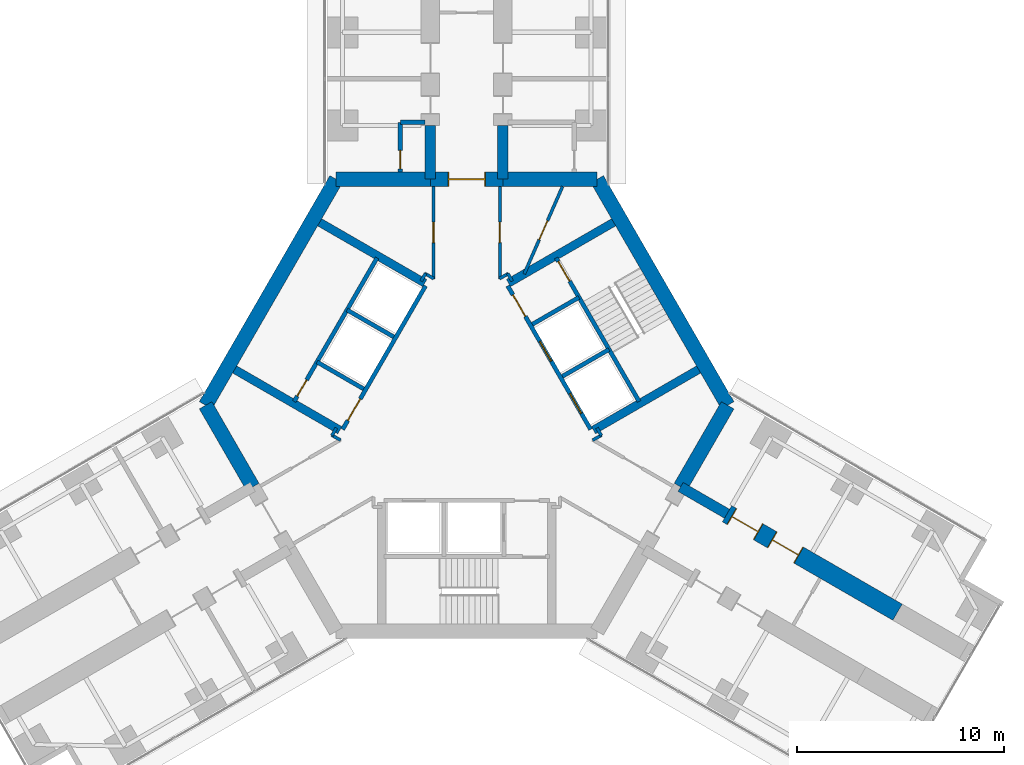
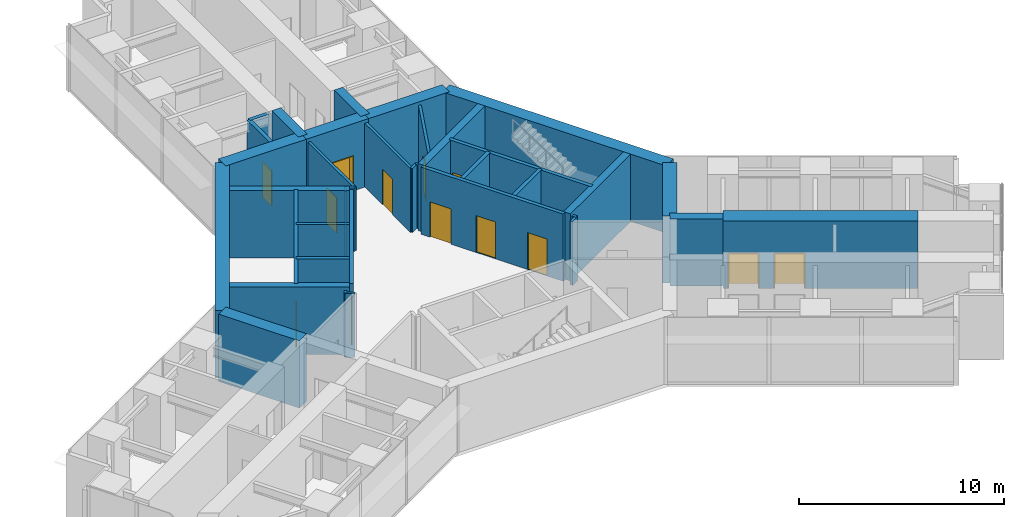
# One storey, part 20 of 23: 36 walls, 13 doors, 13 openings.
"""IFC4 building model written with IfcOpenShell, lengths in metres."""

from ifc_helpers import new_model, si_unit, direction, frame, frame_2d, origin, place, context, subcontext, project, spatial, rectangle, extrude, material, layer, layer_set, type_object, element, fill, save


model = new_model("IFC4")

# Units and contexts
model_context = context("Model", 3, precision=1e-05, world=origin(), true_north=direction((0.0, 1.0)))
body_context = subcontext(model_context, "Body", "Model", "MODEL_VIEW")
ifc_project = project(units=[si_unit("LENGTHUNIT", "METRE"), si_unit("AREAUNIT", "SQUARE_METRE"), si_unit("VOLUMEUNIT", "CUBIC_METRE"), si_unit("PLANEANGLEUNIT", "RADIAN"), si_unit("MASSUNIT", "GRAM", prefix="KILO")], contexts=[model_context])

# Site, building, storey
site_placement = place(None, origin())
site = spatial("IfcSite", under=ifc_project, at=site_placement, CompositionType="ELEMENT")
building_placement = place(site_placement, origin())
building = spatial("IfcBuilding", under=site, at=building_placement, Name="Upepo Twin Towers", CompositionType="ELEMENT")
storey_placement = place(building_placement, frame((0.0, 0.0, 32.5)))
storey = spatial("IfcBuildingStorey", under=building, at=storey_placement, Name="L07", CompositionType="ELEMENT", Elevation=32.5)

# Wall, opening, door
ifc_material_1 = material(Name="Concrete blockwork, plastered both faces", Category="masonry")
ifc_layer_1 = layer(ifc_material_1, 0.215087890625)
ifc_layer_set_1 = layer_set([ifc_layer_1], Name="Blockwork partition 215")
wall_type_1 = type_object("IfcWallType", Name="Blockwork partition 215", PredefinedType="PARTITIONING", material=ifc_layer_set_1)
wall_1_placement = place(storey_placement, frame((55.300048828125, -6.741943359375, 0.0), z_axis=(0.0, 0.0, 1.0), x_axis=(0.0, 1.0, 0.0)))
wall_1 = element("IfcWall", 1, at=wall_1_placement, inside=storey, type_object=wall_type_1, Name="T2 WC bay partition AL at 11.26", PredefinedType="PARTITIONING", context=body_context, shape_type="SweptSolid", body=[
    extrude(rectangle(XDim=2.39990234375, YDim=0.215087890625, at=frame_2d((1.199951171875, 0.0))), origin(), (0.0, 0.0, 1.0), 3.800048828125),
])
opening_1_placement = place(wall_1_placement, frame((0.14990234375, 0.0, 0.0)))
opening_1 = element("IfcOpeningElement", 2, at=opening_1_placement, cuts=wall_1, Name="Opening D14", PredefinedType="OPENING", context=body_context, shape_type="SweptSolid", body=[
    extrude(rectangle(XDim=0.89990234375, YDim=2.10009765625, at=frame_2d((0.449951171875, 1.050048828125))), frame((0.0, 0.117431640625, 0.0), z_axis=(0.0, -1.0, 0.0), x_axis=(1.0, 0.0, 0.0)), (0.0, 0.0, 1.0), 0.235107421875),
])
ifc_material_2 = material(Name="Timber doorset", Category="wood")
door_type_1 = type_object("IfcDoorType", Name="Office door 900 FD30", OperationType="SINGLE_SWING_LEFT", PredefinedType="DOOR", material=ifc_material_2)
door_1_placement = place(opening_1_placement, origin())
door_1 = element("IfcDoor", 3, at=door_1_placement, inside=storey, type_object=door_type_1, Name="T2 L07 WC bay inner room door", OperationType="SINGLE_SWING_LEFT", OverallHeight=2.10009765625, OverallWidth=0.89990234375, PredefinedType="DOOR", context=body_context, shape_type="SweptSolid", body=[
    extrude(rectangle(XDim=0.89990234375, YDim=2.10009765625, at=frame_2d((0.449951171875, 1.050048828125))), frame((0.0, 0.02490234375, 0.0), z_axis=(0.0, -1.0, 0.0), x_axis=(1.0, 0.0, 0.0)), (0.0, 0.0, 1.0), 0.050048828125),
])
fill(opening_1, door_1)

# Walls
wall_2_placement = place(storey_placement, frame((56.5, -4.342041015625, 0.0), z_axis=(0.0, 0.0, 1.0), x_axis=(-1.0, 0.0, 0.0)))
element("IfcWall", 4, at=wall_2_placement, inside=storey, type_object=wall_type_1, Name="T2 WC bay partition AL end at 13.66", PredefinedType="PARTITIONING", context=body_context, shape_type="SweptSolid", body=[
    extrude(rectangle(XDim=1.199951171875, YDim=0.215087890625, at=frame_2d((0.60009765625, 0.0))), origin(), (0.0, 0.0, 1.0), 3.800048828125),
])
ifc_material_3 = material(Name="Concrete C60/75", Category="concrete")
ifc_layer_2 = layer(ifc_material_3, 0.5)
ifc_layer_set_2 = layer_set([ifc_layer_2], Name="Concrete C60/75")
wall_type_2 = type_object("IfcWallType", Name="Buttress wall 500 RC", PredefinedType="SHEAR", material=ifc_layer_set_2)
for number, where, z_axis, x_axis, name in (
    (5, (56.75, -7.091552734375, 0.0), (0.0, 0.0, 1.0), (0.0, 1.0, 0.0), "T2 wing A buttress wall L"),
    (6, (60.25, -7.091552734375, 0.0), (0.0, 0.0, 1.0), (0.0, 1.0, 0.0), "T2 wing A buttress wall R"),
):
    element("IfcWall", number, at=place(storey_placement, frame(where, z_axis=z_axis, x_axis=x_axis)), inside=storey, type_object=wall_type_2, Name=name, PredefinedType="SHEAR", context=body_context, shape_type="SweptSolid", body=[
        extrude(rectangle(XDim=2.591552734375, YDim=0.5, at=frame_2d((1.2958984375, 0.0))), origin(), (0.0, 0.0, 1.0), 4.0),
    ])
wall_3_placement = place(storey_placement, frame((68.82177734375, -21.938720703125, 0.0), z_axis=(0.0, 0.0, 1.0), x_axis=(0.866072649678, -0.499918158782, 0.0)))
element("IfcWall", 7, at=wall_3_placement, inside=storey, type_object=wall_type_2, Name="T2 wing C buttress wall L", PredefinedType="SHEAR", context=body_context, shape_type="SweptSolid", body=[
    extrude(rectangle(XDim=2.591796875, YDim=0.5, at=frame_2d((1.2958984375, 0.0))), origin(), (0.0, 0.0, 1.0), 4.0),
])

# Wall, openings, doors
ifc_material_4 = material(Name="Concrete C60/75", Category="concrete")
ifc_layer_3 = layer(ifc_material_4, 0.89990234375)
ifc_layer_set_3 = layer_set([ifc_layer_3], Name="Concrete C60/75")
wall_type_3 = type_object("IfcWallType", Name="Buttress wall 900 RC", PredefinedType="SHEAR", material=ifc_layer_set_3)
wall_4_placement = place(storey_placement, frame((71.06640625, -23.234375, 0.0), z_axis=(0.0, 0.0, 1.0), x_axis=(0.86602681393, -0.499997557548, 0.0)))
wall_4 = element("IfcWall", 8, at=wall_4_placement, inside=storey, type_object=wall_type_3, Name="T2 wing C buttress wall L part 2", PredefinedType="SHEAR", context=body_context, shape_type="SweptSolid", body=[
    extrude(rectangle(XDim=9.5, YDim=0.89990234375, at=frame_2d((4.75, 0.0))), origin(), (0.0, 0.0, 1.0), 4.0),
])
opening_2_placement = place(wall_4_placement, frame((0.25, 0.0, 0.0)))
opening_2 = element("IfcOpeningElement", 9, at=opening_2_placement, cuts=wall_4, Name="Opening D13", PredefinedType="OPENING", context=body_context, shape_type="SweptSolid", body=[
    extrude(rectangle(XDim=1.5, YDim=2.10009765625, at=frame_2d((0.75, 1.050048828125))), frame((0.0, 0.4599609375, 0.0), z_axis=(0.0, -1.0, 0.0), x_axis=(1.0, 0.0, 0.0)), (0.0, 0.0, 1.0), 0.919921875),
])
opening_3_placement = place(wall_4_placement, frame((2.5, 0.0, 0.0)))
opening_3 = element("IfcOpeningElement", 10, at=opening_3_placement, cuts=wall_4, Name="Opening D13", PredefinedType="OPENING", context=body_context, shape_type="SweptSolid", body=[
    extrude(rectangle(XDim=1.5, YDim=2.10009765625, at=frame_2d((0.75, 1.050048828125))), frame((0.0, 0.4599609375, 0.0), z_axis=(0.0, -1.0, 0.0), x_axis=(1.0, 0.0, 0.0)), (0.0, 0.0, 1.0), 0.919921875),
])
ifc_material_5 = material(Name="Timber doorset", Category="wood")
door_type_2 = type_object("IfcDoorType", Name="Double door 1500 FD30", OperationType="DOUBLE_DOOR_SINGLE_SWING", PredefinedType="DOOR", material=ifc_material_5)
door_2_placement = place(opening_2_placement, origin())
door_2 = element("IfcDoor", 11, at=door_2_placement, inside=storey, type_object=door_type_2, Name="T2 L07 lecture room door", OperationType="DOUBLE_DOOR_SINGLE_SWING", OverallHeight=2.10009765625, OverallWidth=1.5, PredefinedType="DOOR", context=body_context, shape_type="SweptSolid", body=[
    extrude(rectangle(XDim=1.42, YDim=2.06009765625, at=frame_2d((0.75, 1.030029296875))), frame((0.0, 0.02490234375, 0.0), z_axis=(0.0, -1.0, 0.0), x_axis=(1.0, 0.0, 0.0)), (0.0, 0.0, 1.0), 0.050048828125),
    extrude(rectangle(XDim=0.04, YDim=2.10009765625, at=frame_2d((0.02001953125, 1.050048828125))), frame((0.0, 0.44970703125, 0.0), z_axis=(0.0, -1.0, 0.0), x_axis=(1.0, 0.0, 0.0)), (0.0, 0.0, 1.0), 0.8994140625),
    extrude(rectangle(XDim=0.04, YDim=2.10009765625, at=frame_2d((1.47998046875, 1.050048828125))), frame((0.0, 0.44970703125, 0.0), z_axis=(0.0, -1.0, 0.0), x_axis=(1.0, 0.0, 0.0)), (0.0, 0.0, 1.0), 0.8994140625),
    extrude(rectangle(XDim=1.42, YDim=0.04, at=frame_2d((0.75, 2.080078125))), frame((0.0, 0.44970703125, 0.0), z_axis=(0.0, -1.0, 0.0), x_axis=(1.0, 0.0, 0.0)), (0.0, 0.0, 1.0), 0.8994140625),
])
fill(opening_2, door_2)
door_3_placement = place(opening_3_placement, origin())
door_3 = element("IfcDoor", 12, at=door_3_placement, inside=storey, type_object=door_type_2, Name="T2 L07 lecture room door", OperationType="DOUBLE_DOOR_SINGLE_SWING", OverallHeight=2.10009765625, OverallWidth=1.5, PredefinedType="DOOR", context=body_context, shape_type="SweptSolid", body=[
    extrude(rectangle(XDim=1.42, YDim=2.06009765625, at=frame_2d((0.75, 1.030029296875))), frame((0.0, 0.02490234375, 0.0), z_axis=(0.0, -1.0, 0.0), x_axis=(1.0, 0.0, 0.0)), (0.0, 0.0, 1.0), 0.050048828125),
    extrude(rectangle(XDim=0.04, YDim=2.10009765625, at=frame_2d((0.02001953125, 1.050048828125))), frame((0.0, 0.44970703125, 0.0), z_axis=(0.0, -1.0, 0.0), x_axis=(1.0, 0.0, 0.0)), (0.0, 0.0, 1.0), 0.8994140625),
    extrude(rectangle(XDim=0.04, YDim=2.10009765625, at=frame_2d((1.47998046875, 1.050048828125))), frame((0.0, 0.44970703125, 0.0), z_axis=(0.0, -1.0, 0.0), x_axis=(1.0, 0.0, 0.0)), (0.0, 0.0, 1.0), 0.8994140625),
    extrude(rectangle(XDim=1.42, YDim=0.04, at=frame_2d((0.75, 2.080078125))), frame((0.0, 0.44970703125, 0.0), z_axis=(0.0, -1.0, 0.0), x_axis=(1.0, 0.0, 0.0)), (0.0, 0.0, 1.0), 0.8994140625),
])
fill(opening_3, door_3)

# Wall
ifc_material_6 = material(Name="Concrete C60/75", Category="concrete")
ifc_layer_4 = layer(ifc_material_6, 0.699951171875)
ifc_layer_set_4 = layer_set([ifc_layer_4], Name="Concrete C60/75")
wall_type_4 = type_object("IfcWallType", Name="Core wall 700 RC", PredefinedType="SHEAR", material=ifc_layer_set_4)
wall_5_placement = place(storey_placement, frame((64.7978515625, -7.091552734375, 0.0), z_axis=(0.0, 0.0, 1.0), x_axis=(-1.0, 0.0, 0.0)))
element("IfcWall", 13, at=wall_5_placement, inside=storey, type_object=wall_type_4, Name="T2 core wall 000 R", PredefinedType="SHEAR", context=body_context, shape_type="SweptSolid", body=[
    extrude(rectangle(XDim=4.5478515625, YDim=0.699951171875, at=frame_2d((2.27392578125, 0.0))), origin(), (0.0, 0.0, 1.0), 4.0),
])

# Wall, opening, door
wall_6_placement = place(storey_placement, frame((60.25, -7.091552734375, 0.0), z_axis=(0.0, 0.0, 1.0), x_axis=(-1.0, 0.0, 0.0)))
wall_6 = element("IfcWall", 14, at=wall_6_placement, inside=storey, type_object=wall_type_4, Name="T2 core wall 000", PredefinedType="SHEAR", context=body_context, shape_type="SweptSolid", body=[
    extrude(rectangle(XDim=3.5, YDim=0.699951171875, at=frame_2d((1.75, 0.0))), origin(), (0.0, 0.0, 1.0), 4.0),
])
opening_4_placement = place(wall_6_placement, frame((0.85009765625, 0.0, 0.0)))
opening_4 = element("IfcOpeningElement", 15, at=opening_4_placement, cuts=wall_6, Name="Opening D2", PredefinedType="OPENING", context=body_context, shape_type="SweptSolid", body=[
    extrude(rectangle(XDim=1.800048828125, YDim=2.10009765625, at=frame_2d((0.89990234375, 1.050048828125))), frame((0.0, 0.35986328125, 0.0), z_axis=(0.0, -1.0, 0.0), x_axis=(1.0, 0.0, 0.0)), (0.0, 0.0, 1.0), 0.719970703125),
])
ifc_material_7 = material(Name="Timber doorset", Category="wood")
door_type_3 = type_object("IfcDoorType", Name="Corridor double door 1800 FD60", OperationType="DOUBLE_DOOR_DOUBLE_SWING", PredefinedType="DOOR", material=ifc_material_7)
door_4_placement = place(opening_4_placement, origin())
door_4 = element("IfcDoor", 16, at=door_4_placement, inside=storey, type_object=door_type_3, Name="T2 L07 wing A corridor door", OperationType="DOUBLE_DOOR_DOUBLE_SWING", OverallHeight=2.10009765625, OverallWidth=1.800048828125, PredefinedType="DOOR", context=body_context, shape_type="SweptSolid", body=[
    extrude(rectangle(XDim=1.720048828125, YDim=2.06009765625, at=frame_2d((0.89990234375, 1.030029296875))), frame((0.0, 0.02490234375, 0.0), z_axis=(0.0, -1.0, 0.0), x_axis=(1.0, 0.0, 0.0)), (0.0, 0.0, 1.0), 0.050048828125),
    extrude(rectangle(XDim=0.04, YDim=2.10009765625, at=frame_2d((0.02001953125, 1.050048828125))), frame((0.0, 0.349609375, 0.0), z_axis=(0.0, -1.0, 0.0), x_axis=(1.0, 0.0, 0.0)), (0.0, 0.0, 1.0), 0.699462890625),
    extrude(rectangle(XDim=0.04, YDim=2.10009765625, at=frame_2d((1.780029296875, 1.050048828125))), frame((0.0, 0.349609375, 0.0), z_axis=(0.0, -1.0, 0.0), x_axis=(1.0, 0.0, 0.0)), (0.0, 0.0, 1.0), 0.699462890625),
    extrude(rectangle(XDim=1.720048828125, YDim=0.04, at=frame_2d((0.89990234375, 2.080078125))), frame((0.0, 0.349609375, 0.0), z_axis=(0.0, -1.0, 0.0), x_axis=(1.0, 0.0, 0.0)), (0.0, 0.0, 1.0), 0.699462890625),
])
fill(opening_4, door_4)

# Walls
wall_7_placement = place(storey_placement, frame((56.75, -7.091552734375, 0.0), z_axis=(0.0, 0.0, 1.0), x_axis=(-1.0, 0.0, 0.0)))
element("IfcWall", 17, at=wall_7_placement, inside=storey, type_object=wall_type_4, Name="T2 core wall 000 L", PredefinedType="SHEAR", context=body_context, shape_type="SweptSolid", body=[
    extrude(rectangle(XDim=4.5478515625, YDim=0.699951171875, at=frame_2d((2.27392578125, 0.0))), origin(), (0.0, 0.0, 1.0), 4.0),
])
wall_8_placement = place(storey_placement, frame((52.2021484375, -7.091552734375, 0.0), z_axis=(0.0, 0.0, 1.0), x_axis=(-0.500005998175, -0.866021940709, 0.0)))
element("IfcWall", 18, at=wall_8_placement, inside=storey, type_object=wall_type_4, Name="T2 core wall 060", PredefinedType="SHEAR", context=body_context, shape_type="SweptSolid", body=[
    extrude(rectangle(XDim=12.595947265625, YDim=0.699951171875, at=frame_2d((6.2978515625, 0.0))), origin(), (0.0, 0.0, 1.0), 4.0),
])
for number, where, z_axis, x_axis, name in (
    (19, (45.904052734375, -18.0, 0.0), (0.0, 0.0, 1.0), (0.500024481964, -0.866011268655, 0.0), "T2 core wall 120 R"),
    (20, (68.82177734375, -21.938720703125, 0.0), (0.0, 0.0, 1.0), (0.500024481964, 0.866011268655, 0.0), "T2 core wall 240 L"),
):
    element("IfcWall", number, at=place(storey_placement, frame(where, z_axis=z_axis, x_axis=x_axis)), inside=storey, type_object=wall_type_4, Name=name, PredefinedType="SHEAR", context=body_context, shape_type="SweptSolid", body=[
        extrude(rectangle(XDim=4.548095703125, YDim=0.699951171875, at=frame_2d((2.27392578125, 0.0))), origin(), (0.0, 0.0, 1.0), 4.0),
    ])
wall_9_placement = place(storey_placement, frame((71.095947265625, -18.0, 0.0), z_axis=(0.0, 0.0, 1.0), x_axis=(-0.500005998175, 0.866021940709, 0.0)))
element("IfcWall", 21, at=wall_9_placement, inside=storey, type_object=wall_type_4, Name="T2 core wall 300", PredefinedType="SHEAR", context=body_context, shape_type="SweptSolid", body=[
    extrude(rectangle(XDim=12.595947265625, YDim=0.699951171875, at=frame_2d((6.2978515625, 0.0))), origin(), (0.0, 0.0, 1.0), 4.0),
])

# Wall, opening, door
ifc_material_8 = material(Name="Concrete C40/50", Category="concrete")
ifc_layer_5 = layer(ifc_material_8, 0.199951171875)
ifc_layer_set_5 = layer_set([ifc_layer_5], Name="Concrete C40/50")
wall_type_5 = type_object("IfcWallType", Name="Shaft wall 200 RC", PredefinedType="SHEAR", material=ifc_layer_set_5)
wall_10_placement = place(storey_placement, frame((56.516357421875, -12.23583984375, 0.0), z_axis=(0.0, 0.0, 1.0), x_axis=(-0.49999894854, -0.866026010844, 0.0)))
wall_10 = element("IfcWall", 22, at=wall_10_placement, inside=storey, type_object=wall_type_5, Name="T2 core W60 front wall", PredefinedType="SHEAR", context=body_context, shape_type="SweptSolid", body=[
    extrude(rectangle(XDim=8.0, YDim=0.199951171875, at=frame_2d((4.0, 0.0))), origin(), (0.0, 0.0, 1.0), 4.0),
])
opening_5_placement = place(wall_10_placement, frame((6.300048828125, 0.0, 0.0)))
opening_5 = element("IfcOpeningElement", 23, at=opening_5_placement, cuts=wall_10, Name="Opening D4", PredefinedType="OPENING", context=body_context, shape_type="SweptSolid", body=[
    extrude(rectangle(XDim=1.199951171875, YDim=2.10009765625, at=frame_2d((0.60009765625, 1.050048828125))), frame((0.0, 0.10986328125, 0.0), z_axis=(0.0, -1.0, 0.0), x_axis=(1.0, 0.0, 0.0)), (0.0, 0.0, 1.0), 0.219970703125),
])
ifc_material_9 = material(Name="Timber doorset", Category="wood")
door_type_4 = type_object("IfcDoorType", Name="Lobby door 1200 FD60", OperationType="SINGLE_SWING_LEFT", PredefinedType="DOOR", material=ifc_material_9)
door_5_placement = place(opening_5_placement, origin())
door_5 = element("IfcDoor", 24, at=door_5_placement, inside=storey, type_object=door_type_4, Name="T2 L07 W60 lobby door", OperationType="SINGLE_SWING_RIGHT", OverallHeight=2.10009765625, OverallWidth=1.199951171875, PredefinedType="DOOR", context=body_context, shape_type="SweptSolid", body=[
    extrude(rectangle(XDim=1.199951171875, YDim=2.10009765625, at=frame_2d((0.60009765625, 1.050048828125))), frame((0.0, 0.02490234375, 0.0), z_axis=(0.0, -1.0, 0.0), x_axis=(1.0, 0.0, 0.0)), (0.0, 0.0, 1.0), 0.050048828125),
])
fill(opening_5, door_5)

# Walls
for number, where, z_axis, x_axis, name in (
    (25, (54.979736328125, -14.697265625, 0.0), (0.0, 0.0, 1.0), (-0.866062058628, 0.499936506574, 0.0), "T2 core W60 shaft divider"),
    (26, (53.52978515625, -17.208740234375, 0.0), (0.0, 0.0, 1.0), (-0.866062058628, 0.499936506574, 0.0), "T2 core W60 lobby wall"),
):
    element("IfcWall", number, at=place(storey_placement, frame(where, z_axis=z_axis, x_axis=x_axis)), inside=storey, type_object=wall_type_5, Name=name, PredefinedType="SHEAR", context=body_context, shape_type="SweptSolid", body=[
        extrude(rectangle(XDim=2.599853515625, YDim=0.199951171875, at=frame_2d((1.2998046875, 0.0))), origin(), (0.0, 0.0, 1.0), 4.0),
    ])

# Wall, opening, door
wall_11_placement = place(storey_placement, frame((54.177978515625, -10.885986328125, 0.0), z_axis=(0.0, 0.0, 1.0), x_axis=(-0.49999894854, -0.866026010844, 0.0)))
wall_11 = element("IfcWall", 27, at=wall_11_placement, inside=storey, type_object=wall_type_5, Name="T2 core W60 stair wall", PredefinedType="SHEAR", context=body_context, shape_type="SweptSolid", body=[
    extrude(rectangle(XDim=8.0, YDim=0.199951171875, at=frame_2d((4.0, 0.0))), origin(), (0.0, 0.0, 1.0), 4.0),
])
opening_6_placement = place(wall_11_placement, frame((6.800048828125, 0.0, 0.0)))
opening_6 = element("IfcOpeningElement", 28, at=opening_6_placement, cuts=wall_11, Name="Opening D9", PredefinedType="OPENING", context=body_context, shape_type="SweptSolid", body=[
    extrude(rectangle(XDim=0.89990234375, YDim=2.10009765625, at=frame_2d((0.449951171875, 1.050048828125))), frame((0.0, 0.10986328125, 0.0), z_axis=(0.0, -1.0, 0.0), x_axis=(1.0, 0.0, 0.0)), (0.0, 0.0, 1.0), 0.219970703125),
])
ifc_material_10 = material(Name="Timber doorset", Category="wood")
door_type_5 = type_object("IfcDoorType", Name="Riser door 900 FD60", OperationType="SINGLE_SWING_LEFT", PredefinedType="DOOR", material=ifc_material_10)
door_6_placement = place(opening_6_placement, origin())
door_6 = element("IfcDoor", 29, at=door_6_placement, inside=storey, type_object=door_type_5, Name="T2 L07 riser door", OperationType="SINGLE_SWING_RIGHT", OverallHeight=2.10009765625, OverallWidth=0.89990234375, PredefinedType="DOOR", context=body_context, shape_type="SweptSolid", body=[
    extrude(rectangle(XDim=0.89990234375, YDim=2.10009765625, at=frame_2d((0.449951171875, 1.050048828125))), frame((0.0, 0.02490234375, 0.0), z_axis=(0.0, -1.0, 0.0), x_axis=(1.0, 0.0, 0.0)), (0.0, 0.0, 1.0), 0.050048828125),
])
fill(opening_6, door_6)

# Wall, openings, doors
wall_12_placement = place(storey_placement, frame((64.483642578125, -19.1640625, 0.0), z_axis=(0.0, 0.0, 1.0), x_axis=(-0.49999894854, 0.866026010844, 0.0)))
wall_12 = element("IfcWall", 30, at=wall_12_placement, inside=storey, type_object=wall_type_5, Name="T2 core W300 front wall", PredefinedType="SHEAR", context=body_context, shape_type="SweptSolid", body=[
    extrude(rectangle(XDim=8.0, YDim=0.199951171875, at=frame_2d((4.0, 0.0))), origin(), (0.0, 0.0, 1.0), 4.0),
])
opening_7_placement = place(wall_12_placement, frame((6.300048828125, 0.0, 0.0)))
opening_7 = element("IfcOpeningElement", 31, at=opening_7_placement, cuts=wall_12, Name="Opening D4", PredefinedType="OPENING", context=body_context, shape_type="SweptSolid", body=[
    extrude(rectangle(XDim=1.199951171875, YDim=2.10009765625, at=frame_2d((0.60009765625, 1.050048828125))), frame((0.0, 0.10986328125, 0.0), z_axis=(0.0, -1.0, 0.0), x_axis=(1.0, 0.0, 0.0)), (0.0, 0.0, 1.0), 0.219970703125),
])
opening_8_placement = place(wall_12_placement, frame((0.89990234375, 0.0, 0.0)))
opening_8 = element("IfcOpeningElement", 32, at=opening_8_placement, cuts=wall_12, Name="Opening LD1", PredefinedType="OPENING", context=body_context, shape_type="SweptSolid", body=[
    extrude(rectangle(XDim=1.10009765625, YDim=2.199951171875, at=frame_2d((0.550048828125, 1.10009765625))), frame((0.0, 0.10986328125, 0.0), z_axis=(0.0, -1.0, 0.0), x_axis=(1.0, 0.0, 0.0)), (0.0, 0.0, 1.0), 0.219970703125),
])
opening_9_placement = place(wall_12_placement, frame((3.800048828125, 0.0, 0.0)))
opening_9 = element("IfcOpeningElement", 33, at=opening_9_placement, cuts=wall_12, Name="Opening LD1", PredefinedType="OPENING", context=body_context, shape_type="SweptSolid", body=[
    extrude(rectangle(XDim=1.10009765625, YDim=2.199951171875, at=frame_2d((0.550048828125, 1.10009765625))), frame((0.0, 0.10986328125, 0.0), z_axis=(0.0, -1.0, 0.0), x_axis=(1.0, 0.0, 0.0)), (0.0, 0.0, 1.0), 0.219970703125),
])
ifc_material_11 = material(Name="Steel doorset", Category="steel")
door_type_6 = type_object("IfcDoorType", Name="Lift landing door 1100", OperationType="DOUBLE_DOOR_SLIDING", PredefinedType="DOOR", material=ifc_material_11)
door_7_placement = place(opening_8_placement, origin())
door_7 = element("IfcDoor", 34, at=door_7_placement, inside=storey, type_object=door_type_6, Name="T2 L07 lift LL1 landing door", OperationType="DOUBLE_DOOR_SLIDING", OverallHeight=2.199951171875, OverallWidth=1.10009765625, PredefinedType="DOOR", context=body_context, shape_type="SweptSolid", body=[
    extrude(rectangle(XDim=1.10009765625, YDim=2.199951171875, at=frame_2d((0.550048828125, 1.10009765625))), frame((0.0, 0.02490234375, 0.0), z_axis=(0.0, -1.0, 0.0), x_axis=(1.0, 0.0, 0.0)), (0.0, 0.0, 1.0), 0.050048828125),
])
fill(opening_8, door_7)
door_8_placement = place(opening_9_placement, origin())
door_8 = element("IfcDoor", 35, at=door_8_placement, inside=storey, type_object=door_type_6, Name="T2 L07 lift LL2 landing door", OperationType="DOUBLE_DOOR_SLIDING", OverallHeight=2.199951171875, OverallWidth=1.10009765625, PredefinedType="DOOR", context=body_context, shape_type="SweptSolid", body=[
    extrude(rectangle(XDim=1.10009765625, YDim=2.199951171875, at=frame_2d((0.550048828125, 1.10009765625))), frame((0.0, 0.02490234375, 0.0), z_axis=(0.0, -1.0, 0.0), x_axis=(1.0, 0.0, 0.0)), (0.0, 0.0, 1.0), 0.050048828125),
])
fill(opening_9, door_8)
door_9_placement = place(opening_7_placement, origin())
door_9 = element("IfcDoor", 36, at=door_9_placement, inside=storey, type_object=door_type_4, Name="T2 L07 W300 lobby door", OperationType="SINGLE_SWING_RIGHT", OverallHeight=2.10009765625, OverallWidth=1.199951171875, PredefinedType="DOOR", context=body_context, shape_type="SweptSolid", body=[
    extrude(rectangle(XDim=1.199951171875, YDim=2.10009765625, at=frame_2d((0.60009765625, 1.050048828125))), frame((0.0, 0.02490234375, 0.0), z_axis=(0.0, -1.0, 0.0), x_axis=(1.0, 0.0, 0.0)), (0.0, 0.0, 1.0), 0.050048828125),
])
fill(opening_7, door_9)

# Walls
wall_13_placement = place(storey_placement, frame((63.120361328125, -16.6025390625, 0.0), z_axis=(0.0, 0.0, 1.0), x_axis=(0.866062058628, 0.499936506574, 0.0)))
element("IfcWall", 37, at=wall_13_placement, inside=storey, type_object=wall_type_5, Name="T2 core W300 shaft divider", PredefinedType="SHEAR", context=body_context, shape_type="SweptSolid", body=[
    extrude(rectangle(XDim=2.599853515625, YDim=0.199951171875, at=frame_2d((1.2998046875, 0.0))), origin(), (0.0, 0.0, 1.0), 4.0),
])
wall_14_placement = place(storey_placement, frame((61.67041015625, -14.091064453125, 0.0), z_axis=(0.0, 0.0, 1.0), x_axis=(0.86603858612, 0.49997716683, 0.0)))
element("IfcWall", 38, at=wall_14_placement, inside=storey, type_object=wall_type_5, Name="T2 core W300 lobby wall", PredefinedType="SHEAR", context=body_context, shape_type="SweptSolid", body=[
    extrude(rectangle(XDim=2.599609375, YDim=0.199951171875, at=frame_2d((1.2998046875, 0.0))), origin(), (0.0, 0.0, 1.0), 4.0),
])

# Wall, opening, door
wall_15_placement = place(storey_placement, frame((66.822021484375, -17.814208984375, 0.0), z_axis=(0.0, 0.0, 1.0), x_axis=(-0.49999894854, 0.866026010844, 0.0)))
wall_15 = element("IfcWall", 39, at=wall_15_placement, inside=storey, type_object=wall_type_5, Name="T2 core W300 stair wall", PredefinedType="SHEAR", context=body_context, shape_type="SweptSolid", body=[
    extrude(rectangle(XDim=8.0, YDim=0.199951171875, at=frame_2d((4.0, 0.0))), origin(), (0.0, 0.0, 1.0), 4.0),
])
opening_10_placement = place(wall_15_placement, frame((6.699951171875, 0.0, 0.0)))
opening_10 = element("IfcOpeningElement", 40, at=opening_10_placement, cuts=wall_15, Name="Opening D3", PredefinedType="OPENING", context=body_context, shape_type="SweptSolid", body=[
    extrude(rectangle(XDim=1.10009765625, YDim=2.10009765625, at=frame_2d((0.550048828125, 1.050048828125))), frame((0.0, 0.10986328125, 0.0), z_axis=(0.0, -1.0, 0.0), x_axis=(1.0, 0.0, 0.0)), (0.0, 0.0, 1.0), 0.219970703125),
])
ifc_material_12 = material(Name="Timber doorset", Category="wood")
door_type_7 = type_object("IfcDoorType", Name="Stair door 1100 FD60", OperationType="SINGLE_SWING_LEFT", PredefinedType="DOOR", material=ifc_material_12)
door_10_placement = place(opening_10_placement, origin())
door_10 = element("IfcDoor", 41, at=door_10_placement, inside=storey, type_object=door_type_7, Name="T2 L07 stair door", OperationType="SINGLE_SWING_RIGHT", OverallHeight=2.10009765625, OverallWidth=1.10009765625, PredefinedType="DOOR", context=body_context, shape_type="SweptSolid", body=[
    extrude(rectangle(XDim=1.10009765625, YDim=2.10009765625, at=frame_2d((0.550048828125, 1.050048828125))), frame((0.0, 0.02490234375, 0.0), z_axis=(0.0, -1.0, 0.0), x_axis=(1.0, 0.0, 0.0)), (0.0, 0.0, 1.0), 0.050048828125),
])
fill(opening_10, door_10)

# Walls
ifc_material_13 = material(Name="Concrete C40/50", Category="concrete")
ifc_layer_6 = layer(ifc_material_13, 0.39990234375)
ifc_layer_set_6 = layer_set([ifc_layer_6], Name="Concrete C40/50")
wall_type_6 = type_object("IfcWallType", Name="Shaft wall 400 RC", PredefinedType="SHEAR", material=ifc_layer_set_6)
for number, where, z_axis, x_axis, name in (
    (42, (52.379638671875, -19.20068359375, 0.0), (0.0, 0.0, 1.0), (-0.866023886965, 0.500002627198, 0.0), "T2 core W60 side wall N"),
    (43, (56.479736328125, -12.099365234375, 0.0), (0.0, 0.0, 1.0), (-0.866023886965, 0.500002627198, 0.0), "T2 core W60 side wall S"),
    (44, (60.520263671875, -12.099365234375, 0.0), (0.0, 0.0, 1.0), (0.866023886965, 0.500002627198, 0.0), "T2 core W300 side wall N"),
    (45, (64.620361328125, -19.20068359375, 0.0), (0.0, 0.0, 1.0), (0.866023886965, 0.500002627198, 0.0), "T2 core W300 side wall S"),
):
    element("IfcWall", number, at=place(storey_placement, frame(where, z_axis=z_axis, x_axis=x_axis)), inside=storey, type_object=wall_type_6, Name=name, PredefinedType="SHEAR", context=body_context, shape_type="SweptSolid", body=[
        extrude(rectangle(XDim=5.8583984375, YDim=0.39990234375, at=frame_2d((2.92919921875, 0.0))), origin(), (0.0, 0.0, 1.0), 4.0),
    ])
ifc_material_14 = material(Name="Gypsum board on steel studs", Category="steel")
ifc_layer_7 = layer(ifc_material_14, 0.14990234375)
ifc_layer_set_7 = layer_set([ifc_layer_7], Name="Teaching partition 150 acoustic")
wall_type_7 = type_object("IfcWallType", Name="Teaching partition 150 acoustic", PredefinedType="PARTITIONING", material=ifc_layer_set_7)
wall_16_placement = place(storey_placement, frame((52.417236328125, -19.684326171875, 0.0), z_axis=(0.0, 0.0, 1.0), x_axis=(-0.865831790172, 0.50033519877, 0.0)))
element("IfcWall", 46, at=wall_16_placement, inside=storey, type_object=wall_type_7, Name="T2 core room partition 4", PredefinedType="PARTITIONING", context=body_context, shape_type="SweptSolid", body=[
    extrude(rectangle(XDim=0.494384765625, YDim=0.14990234375, at=frame_2d((0.2470703125, 0.0))), origin(), (0.0, 0.0, 1.0), 3.800048828125),
])
for number, where, z_axis, x_axis, name in (
    (47, (51.99658203125, -19.46435546875, 0.0), (0.0, 0.0, 1.0), (0.499804398801, 0.866138304741, 0.0), "T2 core room partition 5"),
    (48, (56.301513671875, -12.0078125, 0.0), (0.0, 0.0, 1.0), (0.500230298122, 0.865892400268, 0.0), "T2 core room partition 6"),
):
    element("IfcWall", number, at=place(storey_placement, frame(where, z_axis=z_axis, x_axis=x_axis)), inside=storey, type_object=wall_type_7, Name=name, PredefinedType="PARTITIONING", context=body_context, shape_type="SweptSolid", body=[
        extrude(rectangle(XDim=0.429931640625, YDim=0.14990234375, at=frame_2d((0.21484375, 0.0))), origin(), (0.0, 0.0, 1.0), 3.800048828125),
    ])
wall_17_placement = place(storey_placement, frame((56.4892578125, -11.642822265625, 0.0), z_axis=(0.0, 0.0, 1.0), x_axis=(0.865831790172, -0.50033519877, 0.0)))
element("IfcWall", 49, at=wall_17_placement, inside=storey, type_object=wall_type_7, Name="T2 core room partition 7", PredefinedType="PARTITIONING", context=body_context, shape_type="SweptSolid", body=[
    extrude(rectangle(XDim=0.494384765625, YDim=0.14990234375, at=frame_2d((0.2470703125, 0.0))), origin(), (0.0, 0.0, 1.0), 3.800048828125),
])

# Wall, opening, door
wall_18_placement = place(storey_placement, frame((56.89990234375, -11.900146484375, 0.0), z_axis=(0.0, 0.0, 1.0), x_axis=(0.0, 1.0, 0.0)))
wall_18 = element("IfcWall", 50, at=wall_18_placement, inside=storey, type_object=wall_type_7, Name="T2 core room partition 8", PredefinedType="PARTITIONING", context=body_context, shape_type="SweptSolid", body=[
    extrude(rectangle(XDim=4.468505859375, YDim=0.14990234375, at=frame_2d((2.234375, 0.0))), origin(), (0.0, 0.0, 1.0), 3.800048828125),
])
opening_11_placement = place(wall_18_placement, frame((1.744384765625, 0.0, 0.0)))
opening_11 = element("IfcOpeningElement", 51, at=opening_11_placement, cuts=wall_18, Name="Opening D1", PredefinedType="OPENING", context=body_context, shape_type="SweptSolid", body=[
    extrude(rectangle(XDim=1.0, YDim=2.10009765625, at=frame_2d((0.5, 1.050048828125))), frame((0.0, 0.0849609375, 0.0), z_axis=(0.0, -1.0, 0.0), x_axis=(1.0, 0.0, 0.0)), (0.0, 0.0, 1.0), 0.169921875),
])
ifc_material_15 = material(Name="Timber doorset", Category="wood")
door_type_8 = type_object("IfcDoorType", Name="Room door 1000 FD30", OperationType="SINGLE_SWING_LEFT", PredefinedType="DOOR", material=ifc_material_15)
door_11_placement = place(opening_11_placement, origin())
door_11 = element("IfcDoor", 52, at=door_11_placement, inside=storey, type_object=door_type_8, Name="T2 L07 core room door K7", OperationType="SINGLE_SWING_RIGHT", OverallHeight=2.10009765625, OverallWidth=1.0, PredefinedType="DOOR", context=body_context, shape_type="SweptSolid", body=[
    extrude(rectangle(XDim=1.0, YDim=2.10009765625, at=frame_2d((0.5, 1.050048828125))), frame((0.0, 0.02490234375, 0.0), z_axis=(0.0, -1.0, 0.0), x_axis=(1.0, 0.0, 0.0)), (0.0, 0.0, 1.0), 0.050048828125),
])
fill(opening_11, door_11)

wall_19_placement = place(storey_placement, frame((60.10009765625, -7.431640625, 0.0), z_axis=(0.0, 0.0, 1.0), x_axis=(0.0, -1.0, 0.0)))
wall_19 = element("IfcWall", 53, at=wall_19_placement, inside=storey, type_object=wall_type_7, Name="T2 core room partition 9", PredefinedType="PARTITIONING", context=body_context, shape_type="SweptSolid", body=[
    extrude(rectangle(XDim=4.468505859375, YDim=0.14990234375, at=frame_2d((2.234375, 0.0))), origin(), (0.0, 0.0, 1.0), 3.800048828125),
])
opening_12_placement = place(wall_19_placement, frame((1.72412109375, 0.0, 0.0)))
opening_12 = element("IfcOpeningElement", 54, at=opening_12_placement, cuts=wall_19, Name="Opening D1", PredefinedType="OPENING", context=body_context, shape_type="SweptSolid", body=[
    extrude(rectangle(XDim=1.0, YDim=2.10009765625, at=frame_2d((0.5, 1.050048828125))), frame((0.0, 0.0849609375, 0.0), z_axis=(0.0, -1.0, 0.0), x_axis=(1.0, 0.0, 0.0)), (0.0, 0.0, 1.0), 0.169921875),
])
door_12_placement = place(opening_12_placement, origin())
door_12 = element("IfcDoor", 55, at=door_12_placement, inside=storey, type_object=door_type_8, Name="T2 L07 core room door K5", OperationType="SINGLE_SWING_LEFT", OverallHeight=2.10009765625, OverallWidth=1.0, PredefinedType="DOOR", context=body_context, shape_type="SweptSolid", body=[
    extrude(rectangle(XDim=1.0, YDim=2.10009765625, at=frame_2d((0.5, 1.050048828125))), frame((0.0, 0.02490234375, 0.0), z_axis=(0.0, -1.0, 0.0), x_axis=(1.0, 0.0, 0.0)), (0.0, 0.0, 1.0), 0.050048828125),
])
fill(opening_12, door_12)

# Walls
wall_20_placement = place(storey_placement, frame((60.082763671875, -11.89013671875, 0.0), z_axis=(0.0, 0.0, 1.0), x_axis=(0.865831790172, 0.50033519877, 0.0)))
element("IfcWall", 56, at=wall_20_placement, inside=storey, type_object=wall_type_7, Name="T2 core room partition 10", PredefinedType="PARTITIONING", context=body_context, shape_type="SweptSolid", body=[
    extrude(rectangle(XDim=0.494384765625, YDim=0.14990234375, at=frame_2d((0.2470703125, 0.0))), origin(), (0.0, 0.0, 1.0), 3.800048828125),
])
for number, where, z_axis, x_axis, name in (
    (57, (60.4833984375, -11.635498046875, 0.0), (0.0, 0.0, 1.0), (0.500230298122, -0.865892400268, 0.0), "T2 core room partition 11"),
    (58, (64.78857421875, -19.092041015625, 0.0), (0.0, 0.0, 1.0), (0.499804398801, -0.866138304741, 0.0), "T2 core room partition 12"),
):
    element("IfcWall", number, at=place(storey_placement, frame(where, z_axis=z_axis, x_axis=x_axis)), inside=storey, type_object=wall_type_7, Name=name, PredefinedType="PARTITIONING", context=body_context, shape_type="SweptSolid", body=[
        extrude(rectangle(XDim=0.429931640625, YDim=0.14990234375, at=frame_2d((0.21484375, 0.0))), origin(), (0.0, 0.0, 1.0), 3.800048828125),
    ])
wall_21_placement = place(storey_placement, frame((65.0107421875, -19.43701171875, 0.0), z_axis=(0.0, 0.0, 1.0), x_axis=(-0.865831790172, -0.50033519877, 0.0)))
element("IfcWall", 59, at=wall_21_placement, inside=storey, type_object=wall_type_7, Name="T2 core room partition 13", PredefinedType="PARTITIONING", context=body_context, shape_type="SweptSolid", body=[
    extrude(rectangle(XDim=0.494384765625, YDim=0.14990234375, at=frame_2d((0.2470703125, 0.0))), origin(), (0.0, 0.0, 1.0), 3.800048828125),
])

# Wall, opening, door
wall_22_placement = place(storey_placement, frame((61.277099609375, -11.662353515625, 0.0), z_axis=(0.0, 0.0, 1.0), x_axis=(0.40133016735, 0.915933456521, 0.0)))
wall_22 = element("IfcWall", 60, at=wall_22_placement, inside=storey, type_object=wall_type_7, Name="T2 core room partition 19", PredefinedType="PARTITIONING", context=body_context, shape_type="SweptSolid", body=[
    extrude(rectangle(XDim=4.608154296875, YDim=0.14990234375, at=frame_2d((2.30419921875, 0.0))), origin(), (0.0, 0.0, 1.0), 3.800048828125),
])
opening_13_placement = place(wall_22_placement, frame((1.803955078125, 0.0, 0.0)))
opening_13 = element("IfcOpeningElement", 61, at=opening_13_placement, cuts=wall_22, Name="Opening D1", PredefinedType="OPENING", context=body_context, shape_type="SweptSolid", body=[
    extrude(rectangle(XDim=1.0, YDim=2.10009765625, at=frame_2d((0.5, 1.050048828125))), frame((0.0, 0.0849609375, 0.0), z_axis=(0.0, -1.0, 0.0), x_axis=(1.0, 0.0, 0.0)), (0.0, 0.0, 1.0), 0.169921875),
])
door_13_placement = place(opening_13_placement, origin())
door_13 = element("IfcDoor", 62, at=door_13_placement, inside=storey, type_object=door_type_8, Name="T2 L07 core room door K6", OperationType="SINGLE_SWING_LEFT", OverallHeight=2.10009765625, OverallWidth=1.0, PredefinedType="DOOR", context=body_context, shape_type="SweptSolid", body=[
    extrude(rectangle(XDim=1.0, YDim=2.10009765625, at=frame_2d((0.5, 1.050048828125))), frame((0.0, 0.02490234375, 0.0), z_axis=(0.0, -1.0, 0.0), x_axis=(1.0, 0.0, 0.0)), (0.0, 0.0, 1.0), 0.050048828125),
])
fill(opening_13, door_13)

save(model, "model.ifc")
